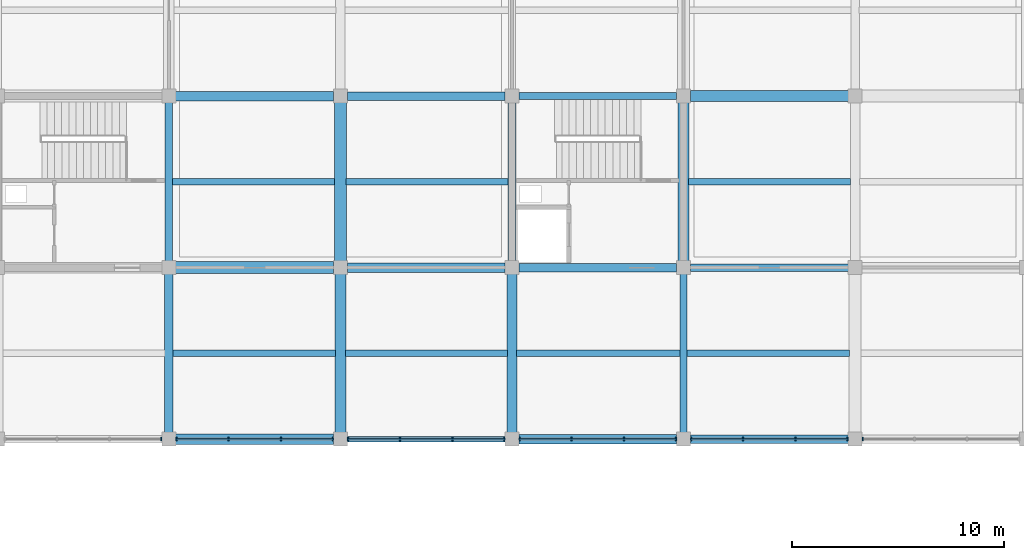
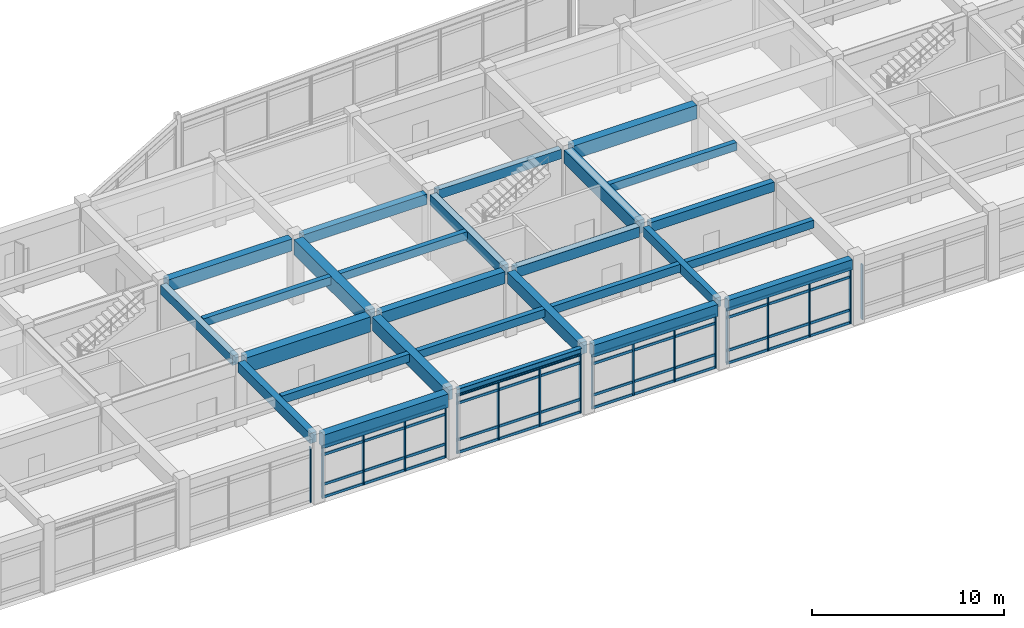
# One storey, part 34 of 89: 34 members, 27 beams, 6 elements without a shape of their own.
"""IFC4 building model written with IfcOpenShell, lengths in metres."""

from ifc_helpers import new_model, si_unit, direction, frame, origin, origin_2d, place, context, subcontext, project, spatial, rectangle, i_section, extrude, material, layer, layer_set, material_profile, profile_set, type_object, element, aggregate, save


model = new_model("IFC4")

# Units and contexts
model_context = context("Model", 3, precision=1e-05, world=origin(), true_north=direction((0.0, 1.0)))
body_context = subcontext(model_context, "Body", "Model", "MODEL_VIEW")
ifc_project = project(units=[si_unit("LENGTHUNIT", "METRE"), si_unit("AREAUNIT", "SQUARE_METRE"), si_unit("VOLUMEUNIT", "CUBIC_METRE"), si_unit("PLANEANGLEUNIT", "RADIAN"), si_unit("MASSUNIT", "GRAM", prefix="KILO")], contexts=[model_context])

# Site, building, storey
site_placement = place(None, origin())
site = spatial("IfcSite", under=ifc_project, at=site_placement, CompositionType="ELEMENT")
building_placement = place(site_placement, origin())
building = spatial("IfcBuilding", under=site, at=building_placement, Name="Vaudrelin Polytechnic", CompositionType="ELEMENT")
storey_placement = place(building_placement, frame((0.0, 0.0, 9.68994140625)))
storey = spatial("IfcBuildingStorey", under=building, at=storey_placement, Name="L02", CompositionType="ELEMENT", Elevation=9.68994140625)

# Beams
ifc_material_1 = material(Name="Concrete 40 MPa", Category="concrete")
ifc_material_profile_1 = material_profile(ifc_material_1, rectangle(XDim=0.35009765625, YDim=0.60009765625, at=origin_2d()), Name="RC350x600")
ifc_profile_set_1 = profile_set([ifc_material_profile_1], Name="Concrete 40 MPa")
beam_type_1 = type_object("IfcBeamType", Name="BM-BM-RC3560", PredefinedType="BEAM", material=ifc_profile_set_1)
for number, where, z_axis, x_axis, name in (
    (1, (64.800048828125, 105.610107421875, 3.780029296875), (0.0, 1.0, 0.0), (-1.0, 0.0, 0.0), "L02 Y-beam 9-14"),
    (2, (89.10009765625, 97.510009765625, 3.840087890625), (0.0, 1.0, 0.0), (-1.0, 0.0, 0.0), "L02 Y-beam 12-13"),
):
    element("IfcBeam", number, at=place(storey_placement, frame(where, z_axis=z_axis, x_axis=x_axis)), inside=storey, type_object=beam_type_1, Name=name, PredefinedType="BEAM", context=body_context, shape_type="SweptSolid", body=[
        extrude(rectangle(XDim=0.35009765625, YDim=0.60009765625, at=origin_2d()), origin(), (0.0, 0.0, 1.0), 7.47998046875),
    ])
for number, where, z_axis, x_axis, name in (
    (3, (81.321044921875, 113.39990234375, 3.840087890625), (1.0, 0.0, 0.0), (0.0, 1.0, 0.0), "L02 X-beam 11-15"),
    (4, (89.4208984375, 105.300048828125, 3.840087890625), (1.0, 0.0, 0.0), (0.0, 1.0, 0.0), "L02 X-beam 12-14"),
):
    element("IfcBeam", number, at=place(storey_placement, frame(where, z_axis=z_axis, x_axis=x_axis)), inside=storey, type_object=beam_type_1, Name=name, PredefinedType="BEAM", context=body_context, shape_type="SweptSolid", body=[
        extrude(rectangle(XDim=0.35009765625, YDim=0.60009765625, at=origin_2d()), origin(), (0.0, 0.0, 1.0), 7.4580078125),
    ])
ifc_material_profile_2 = material_profile(ifc_material_1, rectangle(XDim=0.39990234375, YDim=0.64990234375, at=origin_2d()), Name="RC400x650")
ifc_profile_set_2 = profile_set([ifc_material_profile_2], Name="Concrete 40 MPa")
beam_type_2 = type_object("IfcBeamType", Name="BM-BM-RC4065", PredefinedType="BEAM", material=ifc_profile_set_2)
for number, where, z_axis, x_axis, name in (
    (5, (64.800048828125, 97.510009765625, 3.755126953125), (0.0, 1.0, 0.0), (-1.0, 0.0, 0.0), "L02 Y-beam 9-13"),
    (6, (81.0, 105.610107421875, 3.81494140625), (0.0, 1.0, 0.0), (-1.0, 0.0, 0.0), "L02 Y-beam 11-14"),
):
    element("IfcBeam", number, at=place(storey_placement, frame(where, z_axis=z_axis, x_axis=x_axis)), inside=storey, type_object=beam_type_2, Name=name, PredefinedType="BEAM", context=body_context, shape_type="SweptSolid", body=[
        extrude(rectangle(XDim=0.39990234375, YDim=0.64990234375, at=origin_2d()), origin(), (0.0, 0.0, 1.0), 7.47998046875),
    ])
for number, where, z_axis, x_axis, name in (
    (7, (73.220947265625, 113.39990234375, 3.81494140625), (1.0, 0.0, 0.0), (0.0, 1.0, 0.0), "L02 X-beam 10-15"),
    (8, (81.321044921875, 105.300048828125, 3.81494140625), (1.0, 0.0, 0.0), (0.0, 1.0, 0.0), "L02 X-beam 11-14"),
    (9, (89.4208984375, 97.199951171875, 3.81494140625), (1.0, 0.0, 0.0), (0.0, 1.0, 0.0), "L02 X-beam 12-13"),
):
    element("IfcBeam", number, at=place(storey_placement, frame(where, z_axis=z_axis, x_axis=x_axis)), inside=storey, type_object=beam_type_2, Name=name, PredefinedType="BEAM", context=body_context, shape_type="SweptSolid", body=[
        extrude(rectangle(XDim=0.39990234375, YDim=0.64990234375, at=origin_2d()), origin(), (0.0, 0.0, 1.0), 7.4580078125),
    ])
ifc_material_profile_3 = material_profile(ifc_material_1, rectangle(XDim=0.449951171875, YDim=0.75, at=origin_2d()), Name="RC450x750")
ifc_profile_set_3 = profile_set([ifc_material_profile_3], Name="Concrete 40 MPa")
beam_type_3 = type_object("IfcBeamType", Name="BM-BM-RC4575", PredefinedType="BEAM", material=ifc_profile_set_3)
beam_1_placement = place(storey_placement, frame((81.0, 97.510009765625, 3.76513671875), z_axis=(0.0, 1.0, 0.0), x_axis=(-1.0, 0.0, 0.0)))
element("IfcBeam", 10, at=beam_1_placement, inside=storey, type_object=beam_type_3, Name="L02 Y-beam 11-13", PredefinedType="BEAM", context=body_context, shape_type="SweptSolid", body=[
    extrude(rectangle(XDim=0.449951171875, YDim=0.75, at=origin_2d()), origin(), (0.0, 0.0, 1.0), 7.47998046875),
])
for number, where, z_axis, x_axis, name in (
    (11, (65.12109375, 113.39990234375, 3.76513671875), (1.0, 0.0, 0.0), (0.0, 1.0, 0.0), "L02 X-beam 9-15"),
    (12, (73.220947265625, 105.300048828125, 3.76513671875), (1.0, 0.0, 0.0), (0.0, 1.0, 0.0), "L02 X-beam 10-14"),
    (13, (81.321044921875, 97.199951171875, 3.76513671875), (1.0, 0.0, 0.0), (0.0, 1.0, 0.0), "L02 X-beam 11-13"),
):
    element("IfcBeam", number, at=place(storey_placement, frame(where, z_axis=z_axis, x_axis=x_axis)), inside=storey, type_object=beam_type_3, Name=name, PredefinedType="BEAM", context=body_context, shape_type="SweptSolid", body=[
        extrude(rectangle(XDim=0.449951171875, YDim=0.75, at=origin_2d()), origin(), (0.0, 0.0, 1.0), 7.4580078125),
    ])
ifc_material_profile_4 = material_profile(ifc_material_1, rectangle(XDim=0.5, YDim=0.85009765625, at=origin_2d()), Name="RC500x850")
ifc_profile_set_4 = profile_set([ifc_material_profile_4], Name="Concrete 40 MPa")
beam_type_4 = type_object("IfcBeamType", Name="BM-BM-RC5085", PredefinedType="BEAM", material=ifc_profile_set_4)
for number, where, z_axis, x_axis, name in (
    (14, (72.89990234375, 97.510009765625, 3.715087890625), (0.0, 1.0, 0.0), (-1.0, 0.0, 0.0), "L02 Y-beam 10-13"),
    (15, (89.10009765625, 105.610107421875, 3.715087890625), (0.0, 1.0, 0.0), (-1.0, 0.0, 0.0), "L02 Y-beam 12-14"),
):
    element("IfcBeam", number, at=place(storey_placement, frame(where, z_axis=z_axis, x_axis=x_axis)), inside=storey, type_object=beam_type_4, Name=name, PredefinedType="BEAM", context=body_context, shape_type="SweptSolid", body=[
        extrude(rectangle(XDim=0.5, YDim=0.85009765625, at=origin_2d()), origin(), (0.0, 0.0, 1.0), 7.47998046875),
    ])
for number, where, z_axis, x_axis, name in (
    (16, (65.12109375, 97.199951171875, 3.715087890625), (1.0, 0.0, 0.0), (0.0, 1.0, 0.0), "L02 X-beam 9-13"),
    (17, (89.4208984375, 113.39990234375, 3.715087890625), (1.0, 0.0, 0.0), (0.0, 1.0, 0.0), "L02 X-beam 12-15"),
):
    element("IfcBeam", number, at=place(storey_placement, frame(where, z_axis=z_axis, x_axis=x_axis)), inside=storey, type_object=beam_type_4, Name=name, PredefinedType="BEAM", context=body_context, shape_type="SweptSolid", body=[
        extrude(rectangle(XDim=0.5, YDim=0.85009765625, at=origin_2d()), origin(), (0.0, 0.0, 1.0), 7.4580078125),
    ])
ifc_material_2 = material(Name="Concrete 50 MPa", Category="concrete")
ifc_material_profile_5 = material_profile(ifc_material_2, rectangle(XDim=0.550048828125, YDim=0.949951171875, at=origin_2d()), Name="RC550x950")
ifc_profile_set_5 = profile_set([ifc_material_profile_5], Name="Concrete 50 MPa")
beam_type_5 = type_object("IfcBeamType", Name="BM-BM-RC5595", PredefinedType="BEAM", material=ifc_profile_set_5)
beam_2_placement = place(storey_placement, frame((72.89990234375, 105.610107421875, 3.6650390625), z_axis=(0.0, 1.0, 0.0), x_axis=(-1.0, 0.0, 0.0)))
element("IfcBeam", 18, at=beam_2_placement, inside=storey, type_object=beam_type_5, Name="L02 Y-beam 10-14", PredefinedType="BEAM", context=body_context, shape_type="SweptSolid", body=[
    extrude(rectangle(XDim=0.550048828125, YDim=0.949951171875, at=origin_2d()), origin(), (0.0, 0.0, 1.0), 7.47998046875),
])
beam_3_placement = place(storey_placement, frame((65.12109375, 105.300048828125, 3.6650390625), z_axis=(1.0, 0.0, 0.0), x_axis=(0.0, 1.0, 0.0)))
element("IfcBeam", 19, at=beam_3_placement, inside=storey, type_object=beam_type_5, Name="L02 X-beam 9-14", PredefinedType="BEAM", context=body_context, shape_type="SweptSolid", body=[
    extrude(rectangle(XDim=0.550048828125, YDim=0.949951171875, at=origin_2d()), origin(), (0.0, 0.0, 1.0), 7.4580078125),
])
ifc_material_3 = material(Name="Steel CSA G40.21 350WT", Category="steel")
ifc_material_profile_6 = material_profile(ifc_material_3, i_section(OverallWidth=0.260009765625, OverallDepth=0.4150390625, WebThickness=0.010009765625, FlangeThickness=0.016845703125, FilletRadius=0.01611328125, at=origin_2d()), Name="W410x100")
ifc_profile_set_6 = profile_set([ifc_material_profile_6], Name="Steel CSA G40.21 350WT")
beam_type_6 = type_object("IfcBeamType", Name="BM-BM-W410H", PredefinedType="SPANDREL", material=ifc_profile_set_6)
beam_4_placement = place(storey_placement, frame((73.220947265625, 97.199951171875, 3.9326171875), z_axis=(1.0, 0.0, 0.0), x_axis=(0.0, 1.0, 0.0)))
element("IfcBeam", 20, at=beam_4_placement, inside=storey, type_object=beam_type_6, Name="L02 X-beam 10-13", PredefinedType="SPANDREL", context=body_context, shape_type="SweptSolid", body=[
    extrude(i_section(OverallWidth=0.260009765625, OverallDepth=0.4150390625, WebThickness=0.010009765625, FlangeThickness=0.016845703125, FilletRadius=0.01611328125, at=origin_2d()), origin(), (0.0, 0.0, 1.0), 7.4580078125),
])
ifc_material_profile_7 = material_profile(ifc_material_1, rectangle(XDim=0.300048828125, YDim=0.5, at=origin_2d()), Name="RC300x500")
ifc_profile_set_7 = profile_set([ifc_material_profile_7], Name="Concrete 40 MPa")
beam_type_7 = type_object("IfcBeamType", Name="BM-JS-RC3050", PredefinedType="JOIST", material=ifc_profile_set_7)
for number, where, z_axis, x_axis, name in (
    (21, (64.99609375, 101.25, 3.89013671875), (1.0, 0.0, 0.0), (0.0, 1.0, 0.0), "L02 floor joist 9-13"),
    (22, (64.970947265625, 109.35009765625, 3.89013671875), (1.0, 0.0, 0.0), (0.0, 1.0, 0.0), "L02 floor joist 9-14"),
):
    element("IfcBeam", number, at=place(storey_placement, frame(where, z_axis=z_axis, x_axis=x_axis)), inside=storey, type_object=beam_type_7, Name=name, PredefinedType="JOIST", context=body_context, shape_type="SweptSolid", body=[
        extrude(rectangle(XDim=0.300048828125, YDim=0.5, at=origin_2d()), origin(), (0.0, 0.0, 1.0), 7.657958984375),
    ])
for number, where, z_axis, x_axis, name in (
    (23, (73.14599609375, 101.25, 3.89013671875), (1.0, 0.0, 0.0), (0.0, 1.0, 0.0), "L02 floor joist 10-13"),
    (24, (73.1708984375, 109.35009765625, 3.89013671875), (1.0, 0.0, 0.0), (0.0, 1.0, 0.0), "L02 floor joist 10-14"),
):
    element("IfcBeam", number, at=place(storey_placement, frame(where, z_axis=z_axis, x_axis=x_axis)), inside=storey, type_object=beam_type_7, Name=name, PredefinedType="JOIST", context=body_context, shape_type="SweptSolid", body=[
        extrude(rectangle(XDim=0.300048828125, YDim=0.5, at=origin_2d()), origin(), (0.0, 0.0, 1.0), 7.633056640625),
    ])
beam_5_placement = place(storey_placement, frame((81.220947265625, 101.25, 3.89013671875), z_axis=(1.0, 0.0, 0.0), x_axis=(0.0, 1.0, 0.0)))
element("IfcBeam", 25, at=beam_5_placement, inside=storey, type_object=beam_type_7, Name="L02 floor joist 11-13", PredefinedType="JOIST", context=body_context, shape_type="SweptSolid", body=[
    extrude(rectangle(XDim=0.300048828125, YDim=0.5, at=origin_2d()), origin(), (0.0, 0.0, 1.0), 7.7080078125),
])
beam_6_placement = place(storey_placement, frame((89.27099609375, 101.25, 3.89013671875), z_axis=(1.0, 0.0, 0.0), x_axis=(0.0, 1.0, 0.0)))
element("IfcBeam", 26, at=beam_6_placement, inside=storey, type_object=beam_type_7, Name="L02 floor joist 12-13", PredefinedType="JOIST", context=body_context, shape_type="SweptSolid", body=[
    extrude(rectangle(XDim=0.300048828125, YDim=0.5, at=origin_2d()), origin(), (0.0, 0.0, 1.0), 7.657958984375),
])
beam_7_placement = place(storey_placement, frame((89.345947265625, 109.35009765625, 3.89013671875), z_axis=(1.0, 0.0, 0.0), x_axis=(0.0, 1.0, 0.0)))
element("IfcBeam", 27, at=beam_7_placement, inside=storey, type_object=beam_type_7, Name="L02 floor joist 12-14", PredefinedType="JOIST", context=body_context, shape_type="SweptSolid", body=[
    extrude(rectangle(XDim=0.300048828125, YDim=0.5, at=origin_2d()), origin(), (0.0, 0.0, 1.0), 7.633056640625),
])

# Curtain wall, member
ifc_material_4 = material(Name="Thermally broken anodised aluminium AA 6063-T6 and low-e triple glazing", Category="aluminium")
ifc_layer = layer(ifc_material_4, 0.199951171875)
ifc_layer_set = layer_set([ifc_layer], Name="Thermally broken anodised aluminium AA 6063-T6 and low-e triple glazing")
curtain_wall_type = type_object("IfcCurtainWallType", Name="CW-CW-LIB", PredefinedType="USERDEFINED", material=ifc_layer_set)
curtain_wall_1_placement = place(storey_placement, origin())
curtain_wall_1 = element("IfcCurtainWall", 28, at=curtain_wall_1_placement, inside=storey, type_object=curtain_wall_type, Name="Curtain wall L02 CT_N_03", ObjectType="CURTAIN WALL", PredefinedType="USERDEFINED")
ifc_material_5 = material(Name="Anodised aluminium AA 6063-T6", Category="aluminium")
ifc_material_profile_8 = material_profile(ifc_material_5, rectangle(XDim=0.06494140625, YDim=0.179931640625, at=origin_2d()), Name="CWM-65x180")
ifc_profile_set_8 = profile_set([ifc_material_profile_8], Name="Anodised aluminium AA 6063-T6")
member_type_1 = type_object("IfcMemberType", Name="MEM-CWM-180", PredefinedType="MULLION", material=ifc_profile_set_8)
member_1_placement = place(storey_placement, frame((64.43701171875, 97.199951171875, 0.0), z_axis=(0.0, 0.0, 1.0), x_axis=(1.0, 0.0, 0.0)))
member_1 = element("IfcMember", 29, at=member_1_placement, type_object=member_type_1, Name="CT_N_03 mullion 4", PredefinedType="MULLION", context=body_context, shape_type="SweptSolid", body=[
    extrude(rectangle(XDim=0.06494140625, YDim=0.179931640625, at=origin_2d()), origin(), (0.0, 0.0, 1.0), 3.482177734375),
])
aggregate(curtain_wall_1, [member_1])

# Curtain wall, members
curtain_wall_2_placement = place(storey_placement, origin())
curtain_wall_2 = element("IfcCurtainWall", 30, at=curtain_wall_2_placement, inside=storey, type_object=curtain_wall_type, Name="Curtain wall L02 CT_N_04", ObjectType="CURTAIN WALL", PredefinedType="USERDEFINED")
member_2_placement = place(storey_placement, frame((65.1630859375, 97.199951171875, 0.0), z_axis=(0.0, 0.0, 1.0), x_axis=(1.0, 0.0, 0.0)))
member_2 = element("IfcMember", 31, at=member_2_placement, type_object=member_type_1, Name="CT_N_04 mullion 1", PredefinedType="MULLION", context=body_context, shape_type="SweptSolid", body=[
    extrude(rectangle(XDim=0.06494140625, YDim=0.179931640625, at=origin_2d()), origin(), (0.0, 0.0, 1.0), 3.2919921875),
])
member_3_placement = place(storey_placement, frame((67.607666015625, 97.199951171875, 0.0), z_axis=(0.0, 0.0, 1.0), x_axis=(1.0, 0.0, 0.0)))
member_3 = element("IfcMember", 32, at=member_3_placement, type_object=member_type_1, Name="CT_N_04 mullion 2", PredefinedType="MULLION", context=body_context, shape_type="SweptSolid", body=[
    extrude(rectangle(XDim=0.06494140625, YDim=0.179931640625, at=origin_2d()), origin(), (0.0, 0.0, 1.0), 3.2919921875),
])
member_4_placement = place(storey_placement, frame((70.09228515625, 97.199951171875, 0.0), z_axis=(0.0, 0.0, 1.0), x_axis=(1.0, 0.0, 0.0)))
member_4 = element("IfcMember", 33, at=member_4_placement, type_object=member_type_1, Name="CT_N_04 mullion 3", PredefinedType="MULLION", context=body_context, shape_type="SweptSolid", body=[
    extrude(rectangle(XDim=0.06494140625, YDim=0.179931640625, at=origin_2d()), origin(), (0.0, 0.0, 1.0), 3.2919921875),
])
member_5_placement = place(storey_placement, frame((72.537109375, 97.199951171875, 0.0), z_axis=(0.0, 0.0, 1.0), x_axis=(1.0, 0.0, 0.0)))
member_5 = element("IfcMember", 34, at=member_5_placement, type_object=member_type_1, Name="CT_N_04 mullion 4", PredefinedType="MULLION", context=body_context, shape_type="SweptSolid", body=[
    extrude(rectangle(XDim=0.06494140625, YDim=0.179931640625, at=origin_2d()), origin(), (0.0, 0.0, 1.0), 3.2919921875),
])

curtain_wall_3_placement = place(storey_placement, origin())
curtain_wall_3 = element("IfcCurtainWall", 35, at=curtain_wall_3_placement, inside=storey, type_object=curtain_wall_type, Name="Curtain wall L02 CT_N_05", ObjectType="CURTAIN WALL", PredefinedType="USERDEFINED")
member_6_placement = place(storey_placement, frame((73.262939453125, 97.199951171875, 0.0), z_axis=(0.0, 0.0, 1.0), x_axis=(1.0, 0.0, 0.0)))
member_6 = element("IfcMember", 36, at=member_6_placement, type_object=member_type_1, Name="CT_N_05 mullion 1", PredefinedType="MULLION", context=body_context, shape_type="SweptSolid", body=[
    extrude(rectangle(XDim=0.06494140625, YDim=0.179931640625, at=origin_2d()), origin(), (0.0, 0.0, 1.0), 3.72705078125),
])
member_7_placement = place(storey_placement, frame((75.707763671875, 97.199951171875, 0.0), z_axis=(0.0, 0.0, 1.0), x_axis=(1.0, 0.0, 0.0)))
member_7 = element("IfcMember", 37, at=member_7_placement, type_object=member_type_1, Name="CT_N_05 mullion 2", PredefinedType="MULLION", context=body_context, shape_type="SweptSolid", body=[
    extrude(rectangle(XDim=0.06494140625, YDim=0.179931640625, at=origin_2d()), origin(), (0.0, 0.0, 1.0), 3.72705078125),
])
member_8_placement = place(storey_placement, frame((78.1923828125, 97.199951171875, 0.0), z_axis=(0.0, 0.0, 1.0), x_axis=(1.0, 0.0, 0.0)))
member_8 = element("IfcMember", 38, at=member_8_placement, type_object=member_type_1, Name="CT_N_05 mullion 3", PredefinedType="MULLION", context=body_context, shape_type="SweptSolid", body=[
    extrude(rectangle(XDim=0.06494140625, YDim=0.179931640625, at=origin_2d()), origin(), (0.0, 0.0, 1.0), 3.72705078125),
])
member_9_placement = place(storey_placement, frame((80.636962890625, 97.199951171875, 0.0), z_axis=(0.0, 0.0, 1.0), x_axis=(1.0, 0.0, 0.0)))
member_9 = element("IfcMember", 39, at=member_9_placement, type_object=member_type_1, Name="CT_N_05 mullion 4", PredefinedType="MULLION", context=body_context, shape_type="SweptSolid", body=[
    extrude(rectangle(XDim=0.06494140625, YDim=0.179931640625, at=origin_2d()), origin(), (0.0, 0.0, 1.0), 3.72705078125),
])

curtain_wall_4_placement = place(storey_placement, origin())
curtain_wall_4 = element("IfcCurtainWall", 40, at=curtain_wall_4_placement, inside=storey, type_object=curtain_wall_type, Name="Curtain wall L02 CT_N_06", ObjectType="CURTAIN WALL", PredefinedType="USERDEFINED")
member_10_placement = place(storey_placement, frame((81.363037109375, 97.199951171875, 0.0), z_axis=(0.0, 0.0, 1.0), x_axis=(1.0, 0.0, 0.0)))
member_10 = element("IfcMember", 41, at=member_10_placement, type_object=member_type_1, Name="CT_N_06 mullion 1", PredefinedType="MULLION", context=body_context, shape_type="SweptSolid", body=[
    extrude(rectangle(XDim=0.06494140625, YDim=0.179931640625, at=origin_2d()), origin(), (0.0, 0.0, 1.0), 3.39208984375),
])
member_11_placement = place(storey_placement, frame((83.8076171875, 97.199951171875, 0.0), z_axis=(0.0, 0.0, 1.0), x_axis=(1.0, 0.0, 0.0)))
member_11 = element("IfcMember", 42, at=member_11_placement, type_object=member_type_1, Name="CT_N_06 mullion 2", PredefinedType="MULLION", context=body_context, shape_type="SweptSolid", body=[
    extrude(rectangle(XDim=0.06494140625, YDim=0.179931640625, at=origin_2d()), origin(), (0.0, 0.0, 1.0), 3.39208984375),
])
member_12_placement = place(storey_placement, frame((86.292236328125, 97.199951171875, 0.0), z_axis=(0.0, 0.0, 1.0), x_axis=(1.0, 0.0, 0.0)))
member_12 = element("IfcMember", 43, at=member_12_placement, type_object=member_type_1, Name="CT_N_06 mullion 3", PredefinedType="MULLION", context=body_context, shape_type="SweptSolid", body=[
    extrude(rectangle(XDim=0.06494140625, YDim=0.179931640625, at=origin_2d()), origin(), (0.0, 0.0, 1.0), 3.39208984375),
])
member_13_placement = place(storey_placement, frame((88.737060546875, 97.199951171875, 0.0), z_axis=(0.0, 0.0, 1.0), x_axis=(1.0, 0.0, 0.0)))
member_13 = element("IfcMember", 44, at=member_13_placement, type_object=member_type_1, Name="CT_N_06 mullion 4", PredefinedType="MULLION", context=body_context, shape_type="SweptSolid", body=[
    extrude(rectangle(XDim=0.06494140625, YDim=0.179931640625, at=origin_2d()), origin(), (0.0, 0.0, 1.0), 3.39208984375),
])

curtain_wall_5_placement = place(storey_placement, origin())
curtain_wall_5 = element("IfcCurtainWall", 45, at=curtain_wall_5_placement, inside=storey, type_object=curtain_wall_type, Name="Curtain wall L02 CT_N_07", ObjectType="CURTAIN WALL", PredefinedType="USERDEFINED")
member_14_placement = place(storey_placement, frame((89.462890625, 97.199951171875, 0.0), z_axis=(0.0, 0.0, 1.0), x_axis=(1.0, 0.0, 0.0)))
member_14 = element("IfcMember", 46, at=member_14_placement, type_object=member_type_1, Name="CT_N_07 mullion 1", PredefinedType="MULLION", context=body_context, shape_type="SweptSolid", body=[
    extrude(rectangle(XDim=0.06494140625, YDim=0.179931640625, at=origin_2d()), origin(), (0.0, 0.0, 1.0), 3.491943359375),
])
member_15_placement = place(storey_placement, frame((91.90771484375, 97.199951171875, 0.0), z_axis=(0.0, 0.0, 1.0), x_axis=(1.0, 0.0, 0.0)))
member_15 = element("IfcMember", 47, at=member_15_placement, type_object=member_type_1, Name="CT_N_07 mullion 2", PredefinedType="MULLION", context=body_context, shape_type="SweptSolid", body=[
    extrude(rectangle(XDim=0.06494140625, YDim=0.179931640625, at=origin_2d()), origin(), (0.0, 0.0, 1.0), 3.491943359375),
])
member_16_placement = place(storey_placement, frame((94.392333984375, 97.199951171875, 0.0), z_axis=(0.0, 0.0, 1.0), x_axis=(1.0, 0.0, 0.0)))
member_16 = element("IfcMember", 48, at=member_16_placement, type_object=member_type_1, Name="CT_N_07 mullion 3", PredefinedType="MULLION", context=body_context, shape_type="SweptSolid", body=[
    extrude(rectangle(XDim=0.06494140625, YDim=0.179931640625, at=origin_2d()), origin(), (0.0, 0.0, 1.0), 3.491943359375),
])
member_17_placement = place(storey_placement, frame((96.8369140625, 97.199951171875, 0.0), z_axis=(0.0, 0.0, 1.0), x_axis=(1.0, 0.0, 0.0)))
member_17 = element("IfcMember", 49, at=member_17_placement, type_object=member_type_1, Name="CT_N_07 mullion 4", PredefinedType="MULLION", context=body_context, shape_type="SweptSolid", body=[
    extrude(rectangle(XDim=0.06494140625, YDim=0.179931640625, at=origin_2d()), origin(), (0.0, 0.0, 1.0), 3.491943359375),
])

# Curtain wall, member
curtain_wall_6_placement = place(storey_placement, origin())
curtain_wall_6 = element("IfcCurtainWall", 50, at=curtain_wall_6_placement, inside=storey, type_object=curtain_wall_type, Name="Curtain wall L02 CT_N_08", ObjectType="CURTAIN WALL", PredefinedType="USERDEFINED")
member_18_placement = place(storey_placement, frame((97.56298828125, 97.199951171875, 0.0), z_axis=(0.0, 0.0, 1.0), x_axis=(1.0, 0.0, 0.0)))
member_18 = element("IfcMember", 51, at=member_18_placement, type_object=member_type_1, Name="CT_N_08 mullion 1", PredefinedType="MULLION", context=body_context, shape_type="SweptSolid", body=[
    extrude(rectangle(XDim=0.06494140625, YDim=0.179931640625, at=origin_2d()), origin(), (0.0, 0.0, 1.0), 3.491943359375),
])
aggregate(curtain_wall_6, [member_18])

# Member
ifc_material_profile_9 = material_profile(ifc_material_5, rectangle(XDim=0.074951171875, YDim=0.1650390625, at=origin_2d()), Name="CWT-75x165")
ifc_profile_set_9 = profile_set([ifc_material_profile_9], Name="Anodised aluminium AA 6063-T6")
member_type_2 = type_object("IfcMemberType", Name="MEM-CWT-165", PredefinedType="USERDEFINED", material=ifc_profile_set_9)
member_19_placement = place(storey_placement, frame((65.123046875, 97.199951171875, 0.050048828125), z_axis=(1.0, 0.0, 0.0), x_axis=(0.0, 1.0, 0.0)))
member_19 = element("IfcMember", 52, at=member_19_placement, type_object=member_type_2, Name="CT_N_04 transom 1", ObjectType="TRANSOM", PredefinedType="USERDEFINED", context=body_context, shape_type="SweptSolid", body=[
    extrude(rectangle(XDim=0.074951171875, YDim=0.1650390625, at=origin_2d()), origin(), (0.0, 0.0, 1.0), 7.453857421875),
])

member_20_placement = place(storey_placement, frame((65.123046875, 97.199951171875, 0.85009765625), z_axis=(1.0, 0.0, 0.0), x_axis=(0.0, 1.0, 0.0)))
member_20 = element("IfcMember", 53, at=member_20_placement, type_object=member_type_2, Name="CT_N_04 transom 2", ObjectType="TRANSOM", PredefinedType="USERDEFINED", context=body_context, shape_type="SweptSolid", body=[
    extrude(rectangle(XDim=0.074951171875, YDim=0.1650390625, at=origin_2d()), origin(), (0.0, 0.0, 1.0), 7.453857421875),
])

member_21_placement = place(storey_placement, frame((65.123046875, 97.199951171875, 2.741943359375), z_axis=(1.0, 0.0, 0.0), x_axis=(0.0, 1.0, 0.0)))
member_21 = element("IfcMember", 54, at=member_21_placement, type_object=member_type_2, Name="CT_N_04 transom 3", ObjectType="TRANSOM", PredefinedType="USERDEFINED", context=body_context, shape_type="SweptSolid", body=[
    extrude(rectangle(XDim=0.074951171875, YDim=0.1650390625, at=origin_2d()), origin(), (0.0, 0.0, 1.0), 7.453857421875),
])

member_22_placement = place(storey_placement, frame((65.123046875, 97.199951171875, 3.241943359375), z_axis=(1.0, 0.0, 0.0), x_axis=(0.0, 1.0, 0.0)))
member_22 = element("IfcMember", 55, at=member_22_placement, type_object=member_type_2, Name="CT_N_04 transom 4", ObjectType="TRANSOM", PredefinedType="USERDEFINED", context=body_context, shape_type="SweptSolid", body=[
    extrude(rectangle(XDim=0.074951171875, YDim=0.1650390625, at=origin_2d()), origin(), (0.0, 0.0, 1.0), 7.453857421875),
])

aggregate(curtain_wall_2, [member_2, member_3, member_4, member_5, member_19, member_20, member_21, member_22])

member_23_placement = place(storey_placement, frame((73.222900390625, 97.199951171875, 0.050048828125), z_axis=(1.0, 0.0, 0.0), x_axis=(0.0, 1.0, 0.0)))
member_23 = element("IfcMember", 56, at=member_23_placement, type_object=member_type_2, Name="CT_N_05 transom 1", ObjectType="TRANSOM", PredefinedType="USERDEFINED", context=body_context, shape_type="SweptSolid", body=[
    extrude(rectangle(XDim=0.074951171875, YDim=0.1650390625, at=origin_2d()), origin(), (0.0, 0.0, 1.0), 7.4541015625),
])

member_24_placement = place(storey_placement, frame((73.222900390625, 97.199951171875, 0.85009765625), z_axis=(1.0, 0.0, 0.0), x_axis=(0.0, 1.0, 0.0)))
member_24 = element("IfcMember", 57, at=member_24_placement, type_object=member_type_2, Name="CT_N_05 transom 2", ObjectType="TRANSOM", PredefinedType="USERDEFINED", context=body_context, shape_type="SweptSolid", body=[
    extrude(rectangle(XDim=0.074951171875, YDim=0.1650390625, at=origin_2d()), origin(), (0.0, 0.0, 1.0), 7.4541015625),
])

member_25_placement = place(storey_placement, frame((73.222900390625, 97.199951171875, 3.177001953125), z_axis=(1.0, 0.0, 0.0), x_axis=(0.0, 1.0, 0.0)))
member_25 = element("IfcMember", 58, at=member_25_placement, type_object=member_type_2, Name="CT_N_05 transom 3", ObjectType="TRANSOM", PredefinedType="USERDEFINED", context=body_context, shape_type="SweptSolid", body=[
    extrude(rectangle(XDim=0.074951171875, YDim=0.1650390625, at=origin_2d()), origin(), (0.0, 0.0, 1.0), 7.4541015625),
])

member_26_placement = place(storey_placement, frame((73.222900390625, 97.199951171875, 3.677001953125), z_axis=(1.0, 0.0, 0.0), x_axis=(0.0, 1.0, 0.0)))
member_26 = element("IfcMember", 59, at=member_26_placement, type_object=member_type_2, Name="CT_N_05 transom 4", ObjectType="TRANSOM", PredefinedType="USERDEFINED", context=body_context, shape_type="SweptSolid", body=[
    extrude(rectangle(XDim=0.074951171875, YDim=0.1650390625, at=origin_2d()), origin(), (0.0, 0.0, 1.0), 7.4541015625),
])

aggregate(curtain_wall_3, [member_6, member_7, member_8, member_9, member_23, member_24, member_25, member_26])

member_27_placement = place(storey_placement, frame((81.322998046875, 97.199951171875, 0.050048828125), z_axis=(1.0, 0.0, 0.0), x_axis=(0.0, 1.0, 0.0)))
member_27 = element("IfcMember", 60, at=member_27_placement, type_object=member_type_2, Name="CT_N_06 transom 1", ObjectType="TRANSOM", PredefinedType="USERDEFINED", context=body_context, shape_type="SweptSolid", body=[
    extrude(rectangle(XDim=0.074951171875, YDim=0.1650390625, at=origin_2d()), origin(), (0.0, 0.0, 1.0), 7.4541015625),
])

member_28_placement = place(storey_placement, frame((81.322998046875, 97.199951171875, 0.85009765625), z_axis=(1.0, 0.0, 0.0), x_axis=(0.0, 1.0, 0.0)))
member_28 = element("IfcMember", 61, at=member_28_placement, type_object=member_type_2, Name="CT_N_06 transom 2", ObjectType="TRANSOM", PredefinedType="USERDEFINED", context=body_context, shape_type="SweptSolid", body=[
    extrude(rectangle(XDim=0.074951171875, YDim=0.1650390625, at=origin_2d()), origin(), (0.0, 0.0, 1.0), 7.4541015625),
])

member_29_placement = place(storey_placement, frame((81.322998046875, 97.199951171875, 2.842041015625), z_axis=(1.0, 0.0, 0.0), x_axis=(0.0, 1.0, 0.0)))
member_29 = element("IfcMember", 62, at=member_29_placement, type_object=member_type_2, Name="CT_N_06 transom 3", ObjectType="TRANSOM", PredefinedType="USERDEFINED", context=body_context, shape_type="SweptSolid", body=[
    extrude(rectangle(XDim=0.074951171875, YDim=0.1650390625, at=origin_2d()), origin(), (0.0, 0.0, 1.0), 7.4541015625),
])

member_30_placement = place(storey_placement, frame((81.322998046875, 97.199951171875, 3.342041015625), z_axis=(1.0, 0.0, 0.0), x_axis=(0.0, 1.0, 0.0)))
member_30 = element("IfcMember", 63, at=member_30_placement, type_object=member_type_2, Name="CT_N_06 transom 4", ObjectType="TRANSOM", PredefinedType="USERDEFINED", context=body_context, shape_type="SweptSolid", body=[
    extrude(rectangle(XDim=0.074951171875, YDim=0.1650390625, at=origin_2d()), origin(), (0.0, 0.0, 1.0), 7.4541015625),
])

aggregate(curtain_wall_4, [member_10, member_11, member_12, member_13, member_27, member_28, member_29, member_30])

member_31_placement = place(storey_placement, frame((89.423095703125, 97.199951171875, 0.050048828125), z_axis=(1.0, 0.0, 0.0), x_axis=(0.0, 1.0, 0.0)))
member_31 = element("IfcMember", 64, at=member_31_placement, type_object=member_type_2, Name="CT_N_07 transom 1", ObjectType="TRANSOM", PredefinedType="USERDEFINED", context=body_context, shape_type="SweptSolid", body=[
    extrude(rectangle(XDim=0.074951171875, YDim=0.1650390625, at=origin_2d()), origin(), (0.0, 0.0, 1.0), 7.453857421875),
])

member_32_placement = place(storey_placement, frame((89.423095703125, 97.199951171875, 0.85009765625), z_axis=(1.0, 0.0, 0.0), x_axis=(0.0, 1.0, 0.0)))
member_32 = element("IfcMember", 65, at=member_32_placement, type_object=member_type_2, Name="CT_N_07 transom 2", ObjectType="TRANSOM", PredefinedType="USERDEFINED", context=body_context, shape_type="SweptSolid", body=[
    extrude(rectangle(XDim=0.074951171875, YDim=0.1650390625, at=origin_2d()), origin(), (0.0, 0.0, 1.0), 7.453857421875),
])

member_33_placement = place(storey_placement, frame((89.423095703125, 97.199951171875, 2.942138671875), z_axis=(1.0, 0.0, 0.0), x_axis=(0.0, 1.0, 0.0)))
member_33 = element("IfcMember", 66, at=member_33_placement, type_object=member_type_2, Name="CT_N_07 transom 3", ObjectType="TRANSOM", PredefinedType="USERDEFINED", context=body_context, shape_type="SweptSolid", body=[
    extrude(rectangle(XDim=0.074951171875, YDim=0.1650390625, at=origin_2d()), origin(), (0.0, 0.0, 1.0), 7.453857421875),
])

member_34_placement = place(storey_placement, frame((89.423095703125, 97.199951171875, 3.442138671875), z_axis=(1.0, 0.0, 0.0), x_axis=(0.0, 1.0, 0.0)))
member_34 = element("IfcMember", 67, at=member_34_placement, type_object=member_type_2, Name="CT_N_07 transom 4", ObjectType="TRANSOM", PredefinedType="USERDEFINED", context=body_context, shape_type="SweptSolid", body=[
    extrude(rectangle(XDim=0.074951171875, YDim=0.1650390625, at=origin_2d()), origin(), (0.0, 0.0, 1.0), 7.453857421875),
])

aggregate(curtain_wall_5, [member_14, member_15, member_16, member_17, member_31, member_32, member_33, member_34])

save(model, "model.ifc")
